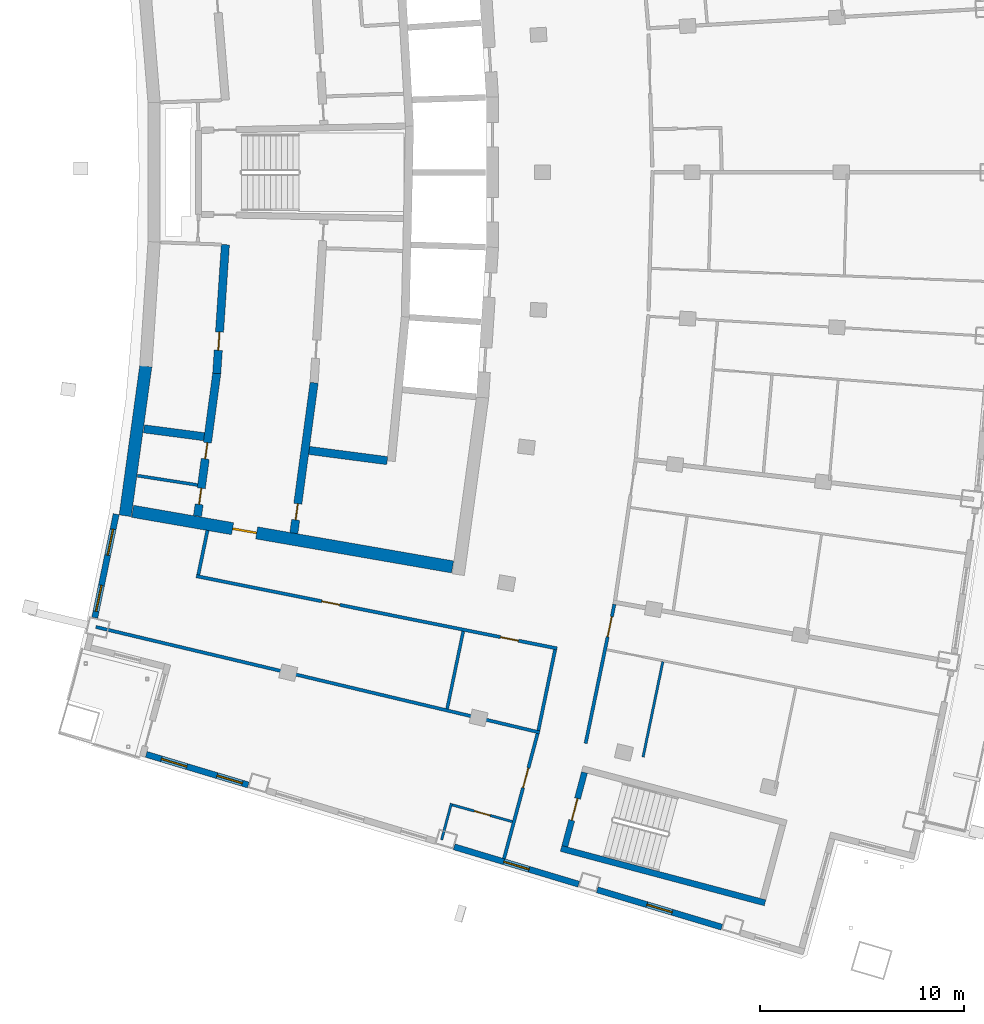
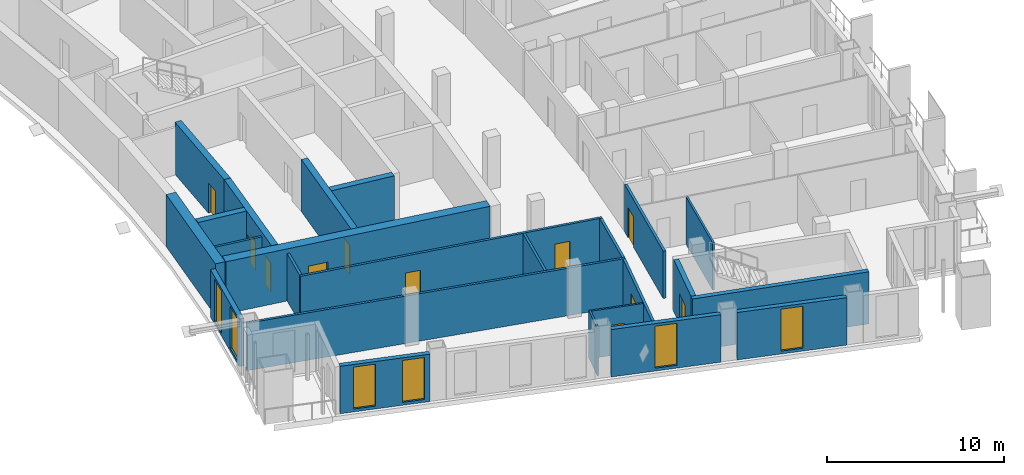
# One storey, part 9 of 17: 24 walls, 11 doors, 6 windows, 17 openings.
"""IFC4 building model written with IfcOpenShell, lengths in metres."""

from ifc_helpers import new_model, si_unit, direction, frame, frame_2d, origin, place, context, subcontext, project, spatial, rectangle, extrude, material, layer, layer_set, type_object, element, fill, save


model = new_model("IFC4")

# Units and contexts
model_context = context("Model", 3, precision=1e-05, world=origin(), true_north=direction((0.0, 1.0)))
body_context = subcontext(model_context, "Body", "Model", "MODEL_VIEW")
ifc_project = project(units=[si_unit("LENGTHUNIT", "METRE"), si_unit("AREAUNIT", "SQUARE_METRE"), si_unit("VOLUMEUNIT", "CUBIC_METRE"), si_unit("PLANEANGLEUNIT", "RADIAN"), si_unit("MASSUNIT", "GRAM", prefix="KILO")], contexts=[model_context])

# Site, building, storey
site_placement = place(None, origin())
site = spatial("IfcSite", under=ifc_project, at=site_placement, CompositionType="ELEMENT")
building_placement = place(site_placement, origin())
building = spatial("IfcBuilding", under=site, at=building_placement, Name="Alderwake Tower", CompositionType="ELEMENT")
storey_placement = place(building_placement, frame((0.0, 0.0, 218.0)))
storey = spatial("IfcBuildingStorey", under=building, at=storey_placement, Name="L54", CompositionType="ELEMENT", Elevation=218.0)

# Walls
ifc_material_1 = material(Name="Gypsum shaft wall system, rated")
ifc_layer_1 = layer(ifc_material_1, 0.14990234375)
ifc_layer_set_1 = layer_set([ifc_layer_1], Name="Core room partition 150")
wall_type_1 = type_object("IfcWallType", Name="Core room partition 150", PredefinedType="PARTITIONING", material=ifc_layer_set_1)
wall_1_placement = place(storey_placement, frame((15.92529296875, 46.11328125, 0.0), z_axis=(0.0, 0.0, 1.0), x_axis=(0.988179886452, -0.153298767153, 0.0)))
element("IfcWall", 1, at=wall_1_placement, inside=storey, type_object=wall_type_1, Name="CW/L54/PR-161_+0", PredefinedType="PARTITIONING", context=body_context, shape_type="SweptSolid", body=[
    extrude(rectangle(XDim=2.984375, YDim=0.14990234375, at=frame_2d((1.4921875, 0.0))), origin(), (0.0, 0.0, 1.0), 3.280029296875),
])
ifc_material_2 = material(Name="Concrete C70/85", Category="concrete")
ifc_layer_2 = layer(ifc_material_2, 0.60009765625)
ifc_layer_set_2 = layer_set([ifc_layer_2], Name="Core wall outer 600 C70-85")
wall_type_2 = type_object("IfcWallType", Name="Core wall outer 600 C70-85", PredefinedType="SHEAR", material=ifc_layer_set_2)
wall_2_placement = place(storey_placement, frame((15.321533203125, 44.146240234375, 0.0), z_axis=(0.0, 0.0, 1.0), x_axis=(0.136316498814, 0.990665338119, 0.0)))
element("IfcWall", 2, at=wall_2_placement, inside=storey, type_object=wall_type_2, Name="Core wall CW.037", PredefinedType="SHEAR", context=body_context, shape_type="SweptSolid", body=[
    extrude(rectangle(XDim=7.41455078125, YDim=0.60009765625, at=frame_2d((3.707275390625, 0.0))), origin(), (0.0, 0.0, 1.0), 3.60009765625),
])

# Wall, opening, door
wall_3_placement = place(storey_placement, frame((31.386962890625, 41.63525390625, 0.0), z_axis=(0.0, 0.0, 1.0), x_axis=(-0.985223108003, 0.171275881127, 0.0)))
wall_3 = element("IfcWall", 3, at=wall_3_placement, inside=storey, type_object=wall_type_2, Name="Core wall CW.072", PredefinedType="SHEAR", context=body_context, shape_type="SweptSolid", body=[
    extrude(rectangle(XDim=15.937744140625, YDim=0.60009765625, at=frame_2d((7.96875, 0.0))), origin(), (0.0, 0.0, 1.0), 3.60009765625),
])
opening_1_placement = place(wall_3_placement, frame((9.757568359375, 0.0, 0.0)))
opening_1 = element("IfcOpeningElement", 4, at=opening_1_placement, cuts=wall_3, Name="Opening C003", PredefinedType="OPENING", context=body_context, shape_type="SweptSolid", body=[
    extrude(rectangle(XDim=1.199951171875, YDim=2.10009765625, at=frame_2d((0.60009765625, 1.050048828125))), frame((0.0, 0.31005859375, 0.0), z_axis=(0.0, -1.0, 0.0), x_axis=(1.0, 0.0, 0.0)), (0.0, 0.0, 1.0), 0.6201171875),
])
ifc_material_3 = material(Name="Steel-framed fire door leaf", Category="steel")
door_type_1 = type_object("IfcDoorType", Name="Core lobby exit door 1200 fire-rated", OperationType="SINGLE_SWING_LEFT", PredefinedType="DOOR", material=ifc_material_3)
door_1_placement = place(opening_1_placement, origin())
door_1 = element("IfcDoor", 5, at=door_1_placement, inside=storey, type_object=door_type_1, Name="Lobby door", OperationType="SINGLE_SWING_LEFT", OverallHeight=2.10009765625, OverallWidth=1.199951171875, PredefinedType="DOOR", context=body_context, shape_type="SweptSolid", body=[
    extrude(rectangle(XDim=1.199951171875, YDim=2.10009765625, at=frame_2d((0.60009765625, 1.050048828125))), frame((0.0, 0.050048828125, 0.0), z_axis=(0.0, -1.0, 0.0), x_axis=(1.0, 0.0, 0.0)), (0.0, 0.0, 1.0), 0.10009765625),
])
fill(opening_1, door_1)

# Wall, openings, doors
ifc_material_4 = material(Name="Concrete C70/85", Category="concrete")
ifc_layer_3 = layer(ifc_material_4, 0.39990234375)
ifc_layer_set_3 = layer_set([ifc_layer_3], Name="Core wall spine 400 C70-85")
wall_type_3 = type_object("IfcWallType", Name="Core wall spine 400 C70-85", PredefinedType="SHEAR", material=ifc_layer_set_3)
wall_4_placement = place(storey_placement, frame((19.814697265625, 51.143798828125, 0.0), z_axis=(0.0, 0.0, 1.0), x_axis=(-0.133333838703, -0.991071181831, 0.0)))
wall_4 = element("IfcWall", 6, at=wall_4_placement, inside=storey, type_object=wall_type_3, Name="Core wall CW.033", PredefinedType="SHEAR", context=body_context, shape_type="SweptSolid", body=[
    extrude(rectangle(XDim=7.078857421875, YDim=0.39990234375, at=frame_2d((3.53955078125, 0.0))), origin(), (0.0, 0.0, 1.0), 3.60009765625),
])
opening_2_placement = place(wall_4_placement, frame((5.69677734375, 0.0, 0.0)))
opening_2 = element("IfcOpeningElement", 7, at=opening_2_placement, cuts=wall_4, Name="Opening C009", PredefinedType="OPENING", context=body_context, shape_type="SweptSolid", body=[
    extrude(rectangle(XDim=0.800048828125, YDim=2.0, at=frame_2d((0.39990234375, 1.0))), frame((0.0, 0.2099609375, 0.0), z_axis=(0.0, -1.0, 0.0), x_axis=(1.0, 0.0, 0.0)), (0.0, 0.0, 1.0), 0.419921875),
])
opening_3_placement = place(wall_4_placement, frame((3.443115234375, 0.0, 0.0)))
opening_3 = element("IfcOpeningElement", 8, at=opening_3_placement, cuts=wall_4, Name="Opening C010", PredefinedType="OPENING", context=body_context, shape_type="SweptSolid", body=[
    extrude(rectangle(XDim=0.800048828125, YDim=2.0, at=frame_2d((0.39990234375, 1.0))), frame((0.0, 0.2099609375, 0.0), z_axis=(0.0, -1.0, 0.0), x_axis=(1.0, 0.0, 0.0)), (0.0, 0.0, 1.0), 0.419921875),
])
ifc_material_5 = material(Name="Painted steel leaf, rated", Category="steel")
door_type_2 = type_object("IfcDoorType", Name="Riser access door 800", OperationType="SINGLE_SWING_LEFT", PredefinedType="DOOR", material=ifc_material_5)
door_2_placement = place(opening_2_placement, origin())
door_2 = element("IfcDoor", 9, at=door_2_placement, inside=storey, type_object=door_type_2, Name="Riser access door", OperationType="SINGLE_SWING_LEFT", OverallHeight=2.0, OverallWidth=0.800048828125, PredefinedType="DOOR", context=body_context, shape_type="SweptSolid", body=[
    extrude(rectangle(XDim=0.800048828125, YDim=2.0, at=frame_2d((0.39990234375, 1.0))), frame((0.0, 0.02490234375, 0.0), z_axis=(0.0, -1.0, 0.0), x_axis=(1.0, 0.0, 0.0)), (0.0, 0.0, 1.0), 0.050048828125),
])
fill(opening_2, door_2)
door_3_placement = place(opening_3_placement, origin())
door_3 = element("IfcDoor", 10, at=door_3_placement, inside=storey, type_object=door_type_2, Name="Riser access door", OperationType="SINGLE_SWING_RIGHT", OverallHeight=2.0, OverallWidth=0.800048828125, PredefinedType="DOOR", context=body_context, shape_type="SweptSolid", body=[
    extrude(rectangle(XDim=0.800048828125, YDim=2.0, at=frame_2d((0.39990234375, 1.0))), frame((0.0, 0.02490234375, 0.0), z_axis=(0.0, -1.0, 0.0), x_axis=(1.0, 0.0, 0.0)), (0.0, 0.0, 1.0), 0.050048828125),
])
fill(opening_3, door_3)

# Wall, opening, door
wall_5_placement = place(storey_placement, frame((20.2373046875, 57.451904296875, 0.0), z_axis=(0.0, 0.0, 1.0), x_axis=(-0.066884681503, -0.997760712486, 0.0)))
wall_5 = element("IfcWall", 11, at=wall_5_placement, inside=storey, type_object=wall_type_3, Name="Core wall CW.032", PredefinedType="SHEAR", context=body_context, shape_type="SweptSolid", body=[
    extrude(rectangle(XDim=6.336669921875, YDim=0.39990234375, at=frame_2d((3.16845703125, 0.0))), origin(), (0.0, 0.0, 1.0), 3.60009765625),
])
opening_4_placement = place(wall_5_placement, frame((4.297119140625, 0.0, 0.0)))
opening_4 = element("IfcOpeningElement", 12, at=opening_4_placement, cuts=wall_5, Name="Opening C037", PredefinedType="OPENING", context=body_context, shape_type="SweptSolid", body=[
    extrude(rectangle(XDim=0.89990234375, YDim=2.10009765625, at=frame_2d((0.449951171875, 1.050048828125))), frame((0.0, 0.2099609375, 0.0), z_axis=(0.0, -1.0, 0.0), x_axis=(1.0, 0.0, 0.0)), (0.0, 0.0, 1.0), 0.419921875),
])
ifc_material_6 = material(Name="Painted steel leaf", Category="steel")
door_type_3 = type_object("IfcDoorType", Name="Core room door 900", OperationType="SINGLE_SWING_LEFT", PredefinedType="DOOR", material=ifc_material_6)
door_4_placement = place(opening_4_placement, origin())
door_4 = element("IfcDoor", 13, at=door_4_placement, inside=storey, type_object=door_type_3, Name="Room door", OperationType="SINGLE_SWING_RIGHT", OverallHeight=2.10009765625, OverallWidth=0.89990234375, PredefinedType="DOOR", context=body_context, shape_type="SweptSolid", body=[
    extrude(rectangle(XDim=0.89990234375, YDim=2.10009765625, at=frame_2d((0.449951171875, 1.050048828125))), frame((0.0, 0.02490234375, 0.0), z_axis=(0.0, -1.0, 0.0), x_axis=(1.0, 0.0, 0.0)), (0.0, 0.0, 1.0), 0.050048828125),
])
fill(opening_4, door_4)

wall_6_placement = place(storey_placement, frame((23.597412109375, 43.29248046875, 0.0), z_axis=(0.0, 0.0, 1.0), x_axis=(0.133499326361, 0.99104890387, 0.0)))
wall_6 = element("IfcWall", 14, at=wall_6_placement, inside=storey, type_object=wall_type_3, Name="Core wall CW.047", PredefinedType="SHEAR", context=body_context, shape_type="SweptSolid", body=[
    extrude(rectangle(XDim=7.44677734375, YDim=0.39990234375, at=frame_2d((3.723388671875, 0.0))), origin(), (0.0, 0.0, 1.0), 3.60009765625),
])
opening_5_placement = place(wall_6_placement, frame((0.65771484375, 0.0, 0.0)))
opening_5 = element("IfcOpeningElement", 15, at=opening_5_placement, cuts=wall_6, Name="Opening C013", PredefinedType="OPENING", context=body_context, shape_type="SweptSolid", body=[
    extrude(rectangle(XDim=0.800048828125, YDim=2.0, at=frame_2d((0.39990234375, 1.0))), frame((0.0, 0.2099609375, 0.0), z_axis=(0.0, -1.0, 0.0), x_axis=(1.0, 0.0, 0.0)), (0.0, 0.0, 1.0), 0.419921875),
])
door_5_placement = place(opening_5_placement, origin())
door_5 = element("IfcDoor", 16, at=door_5_placement, inside=storey, type_object=door_type_2, Name="Riser access door", OperationType="SINGLE_SWING_LEFT", OverallHeight=2.0, OverallWidth=0.800048828125, PredefinedType="DOOR", context=body_context, shape_type="SweptSolid", body=[
    extrude(rectangle(XDim=0.800048828125, YDim=2.0, at=frame_2d((0.39990234375, 1.0))), frame((0.0, 0.02490234375, 0.0), z_axis=(0.0, -1.0, 0.0), x_axis=(1.0, 0.0, 0.0)), (0.0, 0.0, 1.0), 0.050048828125),
])
fill(opening_5, door_5)

# Walls
wall_7_placement = place(storey_placement, frame((16.24169921875, 48.412353515625, 0.0), z_axis=(0.0, 0.0, 1.0), x_axis=(0.991548658387, -0.129735338481, 0.0)))
element("IfcWall", 17, at=wall_7_placement, inside=storey, type_object=wall_type_3, Name="Core wall CW.067", PredefinedType="SHEAR", context=body_context, shape_type="SweptSolid", body=[
    extrude(rectangle(XDim=2.97705078125, YDim=0.39990234375, at=frame_2d((1.488525390625, 0.0))), origin(), (0.0, 0.0, 1.0), 3.60009765625),
])
wall_8_placement = place(storey_placement, frame((24.34619140625, 47.352294921875, 0.0), z_axis=(0.0, 0.0, 1.0), x_axis=(0.991555264158, -0.129684841519, 0.0)))
element("IfcWall", 18, at=wall_8_placement, inside=storey, type_object=wall_type_3, Name="Core wall CW.069", PredefinedType="SHEAR", context=body_context, shape_type="SweptSolid", body=[
    extrude(rectangle(XDim=3.864990234375, YDim=0.39990234375, at=frame_2d((1.9326171875, 0.0))), origin(), (0.0, 0.0, 1.0), 3.60009765625),
])
ifc_material_7 = material(Name="Concrete C70/85", Category="concrete")
ifc_layer_4 = layer(ifc_material_7, 0.300048828125)
ifc_layer_set_4 = layer_set([ifc_layer_4], Name="Core wall stair enclosure 300 C70-85")
wall_type_4 = type_object("IfcWallType", Name="Core wall stair enclosure 300 C70-85", PredefinedType="SHEAR", material=ifc_layer_set_4)
wall_9_placement = place(storey_placement, frame((36.71142578125, 27.817626953125, 0.0), z_axis=(0.0, 0.0, 1.0), x_axis=(0.966309214305, -0.257383958996, 0.0)))
element("IfcWall", 19, at=wall_9_placement, inside=storey, type_object=wall_type_4, Name="Core wall CW.088", PredefinedType="SHEAR", context=body_context, shape_type="SweptSolid", body=[
    extrude(rectangle(XDim=10.360107421875, YDim=0.300048828125, at=frame_2d((5.18017578125, 0.0))), origin(), (0.0, 0.0, 1.0), 3.60009765625),
])

# Wall, opening, door
wall_10_placement = place(storey_placement, frame((36.89501953125, 27.923828125, 0.0), z_axis=(0.0, 0.0, 1.0), x_axis=(0.257350630826, 0.966318090907, 0.0)))
wall_10 = element("IfcWall", 20, at=wall_10_placement, inside=storey, type_object=wall_type_4, Name="Core wall CW.087", PredefinedType="SHEAR", context=body_context, shape_type="SweptSolid", body=[
    extrude(rectangle(XDim=3.75, YDim=0.300048828125, at=frame_2d((1.875, 0.0))), origin(), (0.0, 0.0, 1.0), 3.60009765625),
])
opening_6_placement = place(wall_10_placement, frame((1.324951171875, 0.0, 0.0)))
opening_6 = element("IfcOpeningElement", 21, at=opening_6_placement, cuts=wall_10, Name="Opening C065", PredefinedType="OPENING", context=body_context, shape_type="SweptSolid", body=[
    extrude(rectangle(XDim=1.10009765625, YDim=2.10009765625, at=frame_2d((0.550048828125, 1.050048828125))), frame((0.0, 0.159912109375, 0.0), z_axis=(0.0, -1.0, 0.0), x_axis=(1.0, 0.0, 0.0)), (0.0, 0.0, 1.0), 0.320068359375),
])
ifc_material_8 = material(Name="Steel-framed fire door leaf", Category="steel")
door_type_4 = type_object("IfcDoorType", Name="Core stair door 1100 fire-rated", OperationType="SINGLE_SWING_LEFT", PredefinedType="DOOR", material=ifc_material_8)
door_6_placement = place(opening_6_placement, origin())
door_6 = element("IfcDoor", 22, at=door_6_placement, inside=storey, type_object=door_type_4, Name="Stair door", OperationType="SINGLE_SWING_LEFT", OverallHeight=2.10009765625, OverallWidth=1.10009765625, PredefinedType="DOOR", context=body_context, shape_type="SweptSolid", body=[
    extrude(rectangle(XDim=1.10009765625, YDim=2.10009765625, at=frame_2d((0.550048828125, 1.050048828125))), frame((0.0, 0.02490234375, 0.0), z_axis=(0.0, -1.0, 0.0), x_axis=(1.0, 0.0, 0.0)), (0.0, 0.0, 1.0), 0.050048828125),
])
fill(opening_6, door_6)

# Wall
ifc_material_9 = material(Name="Gypsum board on metal studs, rated")
ifc_layer_5 = layer(ifc_material_9, 0.159912109375)
ifc_layer_set_5 = layer_set([ifc_layer_5], Name="Corridor wall 160")
wall_type_5 = type_object("IfcWallType", Name="Corridor wall 160", PredefinedType="PARTITIONING", material=ifc_layer_set_5)
wall_11_placement = place(storey_placement, frame((13.884033203125, 38.68798828125, 0.0), z_axis=(0.0, 0.0, 1.0), x_axis=(0.972893462073, -0.231253781493, 0.0)))
element("IfcWall", 23, at=wall_11_placement, inside=storey, type_object=wall_type_5, Name="WL/L54/W08", PredefinedType="PARTITIONING", context=body_context, shape_type="SweptSolid", body=[
    extrude(rectangle(XDim=22.38037109375, YDim=0.159912109375, at=frame_2d((11.190185546875, 0.0))), origin(), (0.0, 0.0, 1.0), 3.280029296875),
])

# Wall, openings, doors
wall_12_placement = place(storey_placement, frame((36.513427734375, 37.63427734375, 0.0), z_axis=(0.0, 0.0, 1.0), x_axis=(-0.980470254867, 0.1966674333, 0.0)))
wall_12 = element("IfcWall", 24, at=wall_12_placement, inside=storey, type_object=wall_type_5, Name="WL/L54/W10", PredefinedType="PARTITIONING", context=body_context, shape_type="SweptSolid", body=[
    extrude(rectangle(XDim=18.053466796875, YDim=0.159912109375, at=frame_2d((9.02685546875, 0.0))), origin(), (0.0, 0.0, 1.0), 3.280029296875),
])
opening_7_placement = place(wall_12_placement, frame((10.876708984375, 0.0, 0.0)))
opening_7 = element("IfcOpeningElement", 25, at=opening_7_placement, cuts=wall_12, Name="Opening R15-SBS1", PredefinedType="OPENING", context=body_context, shape_type="SweptSolid", body=[
    extrude(rectangle(XDim=0.89990234375, YDim=2.10009765625, at=frame_2d((0.449951171875, 1.050048828125))), frame((0.0, 0.08984375, 0.0), z_axis=(0.0, -1.0, 0.0), x_axis=(1.0, 0.0, 0.0)), (0.0, 0.0, 1.0), 0.179931640625),
])
opening_8_placement = place(wall_12_placement, frame((1.9306640625, 0.0, 0.0)))
opening_8 = element("IfcOpeningElement", 26, at=opening_8_placement, cuts=wall_12, Name="Opening R15-SBS2", PredefinedType="OPENING", context=body_context, shape_type="SweptSolid", body=[
    extrude(rectangle(XDim=0.89990234375, YDim=2.10009765625, at=frame_2d((0.449951171875, 1.050048828125))), frame((0.0, 0.08984375, 0.0), z_axis=(0.0, -1.0, 0.0), x_axis=(1.0, 0.0, 0.0)), (0.0, 0.0, 1.0), 0.179931640625),
])
ifc_material_10 = material(Name="Painted timber leaf", Category="wood")
door_type_5 = type_object("IfcDoorType", Name="Room door 900", OperationType="SINGLE_SWING_LEFT", PredefinedType="DOOR", material=ifc_material_10)
door_7_placement = place(opening_7_placement, origin())
door_7 = element("IfcDoor", 27, at=door_7_placement, inside=storey, type_object=door_type_5, Name="DR/L54/SBS1", OperationType="SINGLE_SWING_LEFT", OverallHeight=2.10009765625, OverallWidth=0.89990234375, PredefinedType="DOOR", context=body_context, shape_type="SweptSolid", body=[
    extrude(rectangle(XDim=0.89990234375, YDim=2.10009765625, at=frame_2d((0.449951171875, 1.050048828125))), frame((0.0, 0.02490234375, 0.0), z_axis=(0.0, -1.0, 0.0), x_axis=(1.0, 0.0, 0.0)), (0.0, 0.0, 1.0), 0.050048828125),
])
fill(opening_7, door_7)
door_8_placement = place(opening_8_placement, origin())
door_8 = element("IfcDoor", 28, at=door_8_placement, inside=storey, type_object=door_type_5, Name="DR/L54/SBS2", OperationType="SINGLE_SWING_LEFT", OverallHeight=2.10009765625, OverallWidth=0.89990234375, PredefinedType="DOOR", context=body_context, shape_type="SweptSolid", body=[
    extrude(rectangle(XDim=0.89990234375, YDim=2.10009765625, at=frame_2d((0.449951171875, 1.050048828125))), frame((0.0, 0.02490234375, 0.0), z_axis=(0.0, -1.0, 0.0), x_axis=(1.0, 0.0, 0.0)), (0.0, 0.0, 1.0), 0.050048828125),
])
fill(opening_8, door_8)

# Wall
wall_13_placement = place(storey_placement, frame((19.35888671875, 43.430908203125, 0.0), z_axis=(0.0, 0.0, 1.0), x_axis=(-0.202554916658, -0.979270905183, 0.0)))
element("IfcWall", 29, at=wall_13_placement, inside=storey, type_object=wall_type_5, Name="WL/L54/W11", PredefinedType="PARTITIONING", context=body_context, shape_type="SweptSolid", body=[
    extrude(rectangle(XDim=2.229736328125, YDim=0.159912109375, at=frame_2d((1.11474609375, 0.0))), origin(), (0.0, 0.0, 1.0), 3.280029296875),
])

# Wall, opening, door
wall_14_placement = place(storey_placement, frame((33.912109375, 27.321044921875, 0.0), z_axis=(0.0, 0.0, 1.0), x_axis=(0.259370874835, 0.965777794986, 0.0)))
wall_14 = element("IfcWall", 30, at=wall_14_placement, inside=storey, type_object=wall_type_5, Name="WL/L54/W14", PredefinedType="PARTITIONING", context=body_context, shape_type="SweptSolid", body=[
    extrude(rectangle(XDim=6.349853515625, YDim=0.159912109375, at=frame_2d((3.1748046875, 0.0))), origin(), (0.0, 0.0, 1.0), 3.280029296875),
])
opening_9_placement = place(wall_14_placement, frame((3.603515625, 0.0, 0.0)))
opening_9 = element("IfcOpeningElement", 31, at=opening_9_placement, cuts=wall_14, Name="Opening R15-U08.1", PredefinedType="OPENING", context=body_context, shape_type="SweptSolid", body=[
    extrude(rectangle(XDim=1.0, YDim=2.10009765625, at=frame_2d((0.5, 1.050048828125))), frame((0.0, 0.08984375, 0.0), z_axis=(0.0, -1.0, 0.0), x_axis=(1.0, 0.0, 0.0)), (0.0, 0.0, 1.0), 0.179931640625),
])
ifc_material_11 = material(Name="Solid timber leaf in steel frame", Category="steel")
door_type_6 = type_object("IfcDoorType", Name="Flat entrance door 1000 fire-rated", OperationType="SINGLE_SWING_LEFT", PredefinedType="DOOR", material=ifc_material_11)
door_9_placement = place(opening_9_placement, origin())
door_9 = element("IfcDoor", 32, at=door_9_placement, inside=storey, type_object=door_type_6, Name="DR/L54/U08.1", OperationType="SINGLE_SWING_LEFT", OverallHeight=2.10009765625, OverallWidth=1.0, PredefinedType="DOOR", context=body_context, shape_type="SweptSolid", body=[
    extrude(rectangle(XDim=1.0, YDim=2.10009765625, at=frame_2d((0.5, 1.050048828125))), frame((0.0, 0.02490234375, 0.0), z_axis=(0.0, -1.0, 0.0), x_axis=(1.0, 0.0, 0.0)), (0.0, 0.0, 1.0), 0.050048828125),
])
fill(opening_9, door_9)

# Wall
wall_15_placement = place(storey_placement, frame((36.418701171875, 37.57177734375, 0.0), z_axis=(0.0, 0.0, 1.0), x_axis=(-0.203245920818, -0.979127721838, 0.0)))
element("IfcWall", 33, at=wall_15_placement, inside=storey, type_object=wall_type_5, Name="WL/L54/W16", PredefinedType="PARTITIONING", context=body_context, shape_type="SweptSolid", body=[
    extrude(rectangle(XDim=4.046875, YDim=0.159912109375, at=frame_2d((2.0234375, 0.0))), origin(), (0.0, 0.0, 1.0), 3.280029296875),
])

# Wall, opening, door
wall_16_placement = place(storey_placement, frame((39.32763671875, 39.799072265625, 0.0), z_axis=(0.0, 0.0, 1.0), x_axis=(-0.202466556983, -0.979289177569, 0.0)))
wall_16 = element("IfcWall", 34, at=wall_16_placement, inside=storey, type_object=wall_type_5, Name="WL/L54/W18", PredefinedType="PARTITIONING", context=body_context, shape_type="SweptSolid", body=[
    extrude(rectangle(XDim=6.96728515625, YDim=0.159912109375, at=frame_2d((3.483642578125, 0.0))), origin(), (0.0, 0.0, 1.0), 3.280029296875),
])
opening_10_placement = place(wall_16_placement, frame((0.62744140625, 0.0, 0.0)))
opening_10 = element("IfcOpeningElement", 35, at=opening_10_placement, cuts=wall_16, Name="Opening R15-U03.2", PredefinedType="OPENING", context=body_context, shape_type="SweptSolid", body=[
    extrude(rectangle(XDim=1.0, YDim=2.10009765625, at=frame_2d((0.5, 1.050048828125))), frame((0.0, 0.08984375, 0.0), z_axis=(0.0, -1.0, 0.0), x_axis=(1.0, 0.0, 0.0)), (0.0, 0.0, 1.0), 0.179931640625),
])
door_10_placement = place(opening_10_placement, origin())
door_10 = element("IfcDoor", 36, at=door_10_placement, inside=storey, type_object=door_type_6, Name="DR/L54/U03.2", OperationType="SINGLE_SWING_LEFT", OverallHeight=2.10009765625, OverallWidth=1.0, PredefinedType="DOOR", context=body_context, shape_type="SweptSolid", body=[
    extrude(rectangle(XDim=1.0, YDim=2.10009765625, at=frame_2d((0.5, 1.050048828125))), frame((0.0, 0.02490234375, 0.0), z_axis=(0.0, -1.0, 0.0), x_axis=(1.0, 0.0, 0.0)), (0.0, 0.0, 1.0), 0.050048828125),
])
fill(opening_10, door_10)

# Wall, openings, windows
ifc_material_12 = material(Name="Precast concrete C50/60 spandrel panel", Category="concrete")
ifc_layer_6 = layer(ifc_material_12, 0.300048828125)
ifc_layer_set_6 = layer_set([ifc_layer_6], Name="External wall EW1 Precast concrete C50/60 spandrel")
wall_type_6 = type_object("IfcWallType", Name="External wall EW1 Precast concrete C50/60 spandrel", PredefinedType="SOLIDWALL", material=ifc_layer_set_6)
wall_17_placement = place(storey_placement, frame((14.878173828125, 44.223388671875, 0.0), z_axis=(0.0, 0.0, 1.0), x_axis=(-0.202730149235, -0.979234643276, 0.0)))
wall_17 = element("IfcWall", 37, at=wall_17_placement, inside=storey, type_object=wall_type_6, Name="External wall 32", PredefinedType="SOLIDWALL", context=body_context, shape_type="SweptSolid", body=[
    extrude(rectangle(XDim=5.185546875, YDim=0.300048828125, at=frame_2d((2.5927734375, 0.0))), origin(), (0.0, 0.0, 1.0), 3.280029296875),
])
opening_11_placement = place(wall_17_placement, frame((0.75634765625, 0.0, 0.199951171875)))
opening_11 = element("IfcOpeningElement", 38, at=opening_11_placement, cuts=wall_17, Name="Opening W1", PredefinedType="OPENING", context=body_context, shape_type="SweptSolid", body=[
    extrude(rectangle(XDim=1.300048828125, YDim=2.89990234375, at=frame_2d((0.64990234375, 1.449951171875))), frame((0.0, 0.159912109375, 0.0), z_axis=(0.0, -1.0, 0.0), x_axis=(1.0, 0.0, 0.0)), (0.0, 0.0, 1.0), 0.320068359375),
])
opening_12_placement = place(wall_17_placement, frame((3.569091796875, 0.0, 0.199951171875)))
opening_12 = element("IfcOpeningElement", 39, at=opening_12_placement, cuts=wall_17, Name="Opening W1", PredefinedType="OPENING", context=body_context, shape_type="SweptSolid", body=[
    extrude(rectangle(XDim=1.300048828125, YDim=2.89990234375, at=frame_2d((0.64990234375, 1.449951171875))), frame((0.0, 0.159912109375, 0.0), z_axis=(0.0, -1.0, 0.0), x_axis=(1.0, 0.0, 0.0)), (0.0, 0.0, 1.0), 0.320068359375),
])
ifc_material_13 = material(Name="Bronze tinted glass in aluminium frame", Category="aluminium")
window_type = type_object("IfcWindowType", Name="Window W1 tall fixed and vent", PartitioningType="DOUBLE_PANEL_VERTICAL", PredefinedType="WINDOW", material=ifc_material_13)
window_1_placement = place(opening_11_placement, origin())
window_1 = element("IfcWindow", 40, at=window_1_placement, inside=storey, type_object=window_type, Name="Window W1 tall fixed and vent", OverallHeight=2.89990234375, OverallWidth=1.300048828125, PartitioningType="DOUBLE_PANEL_VERTICAL", PredefinedType="WINDOW", context=body_context, shape_type="SweptSolid", body=[
    extrude(rectangle(XDim=1.300048828125, YDim=2.89990234375, at=frame_2d((0.64990234375, 1.449951171875))), frame((0.0, 0.030029296875, 0.0), z_axis=(0.0, -1.0, 0.0), x_axis=(1.0, 0.0, 0.0)), (0.0, 0.0, 1.0), 0.06005859375),
])
fill(opening_11, window_1)
window_2_placement = place(opening_12_placement, origin())
window_2 = element("IfcWindow", 41, at=window_2_placement, inside=storey, type_object=window_type, Name="Window W1 tall fixed and vent", OverallHeight=2.89990234375, OverallWidth=1.300048828125, PartitioningType="DOUBLE_PANEL_VERTICAL", PredefinedType="WINDOW", context=body_context, shape_type="SweptSolid", body=[
    extrude(rectangle(XDim=1.300048828125, YDim=2.89990234375, at=frame_2d((0.64990234375, 1.449951171875))), frame((0.0, 0.030029296875, 0.0), z_axis=(0.0, -1.0, 0.0), x_axis=(1.0, 0.0, 0.0)), (0.0, 0.0, 1.0), 0.06005859375),
])
fill(opening_12, window_2)

ifc_material_14 = material(Name="Bronze metal cladding on lightweight framing")
ifc_layer_7 = layer(ifc_material_14, 0.300048828125)
ifc_layer_set_7 = layer_set([ifc_layer_7], Name="External wall EW2 bronze metal cladding")
wall_type_7 = type_object("IfcWallType", Name="External wall EW2 bronze metal cladding", PredefinedType="SOLIDWALL", material=ifc_layer_set_7)
wall_18_placement = place(storey_placement, frame((16.352783203125, 32.4375, 0.0), z_axis=(0.0, 0.0, 1.0), x_axis=(0.95777225046, -0.287527939944, 0.0)))
wall_18 = element("IfcWall", 42, at=wall_18_placement, inside=storey, type_object=wall_type_7, Name="External wall 4", PredefinedType="SOLIDWALL", context=body_context, shape_type="SweptSolid", body=[
    extrude(rectangle(XDim=5.224609375, YDim=0.300048828125, at=frame_2d((2.6123046875, 0.0))), origin(), (0.0, 0.0, 1.0), 3.280029296875),
])
opening_13_placement = place(wall_18_placement, frame((0.775390625, 0.0, 0.199951171875)))
opening_13 = element("IfcOpeningElement", 43, at=opening_13_placement, cuts=wall_18, Name="Opening W1", PredefinedType="OPENING", context=body_context, shape_type="SweptSolid", body=[
    extrude(rectangle(XDim=1.300048828125, YDim=2.89990234375, at=frame_2d((0.64990234375, 1.449951171875))), frame((0.0, 0.159912109375, 0.0), z_axis=(0.0, -1.0, 0.0), x_axis=(1.0, 0.0, 0.0)), (0.0, 0.0, 1.0), 0.320068359375),
])
opening_14_placement = place(wall_18_placement, frame((3.626220703125, 0.0, 0.199951171875)))
opening_14 = element("IfcOpeningElement", 44, at=opening_14_placement, cuts=wall_18, Name="Opening W1", PredefinedType="OPENING", context=body_context, shape_type="SweptSolid", body=[
    extrude(rectangle(XDim=1.300048828125, YDim=2.89990234375, at=frame_2d((0.64990234375, 1.449951171875))), frame((0.0, 0.159912109375, 0.0), z_axis=(0.0, -1.0, 0.0), x_axis=(1.0, 0.0, 0.0)), (0.0, 0.0, 1.0), 0.320068359375),
])
window_3_placement = place(opening_13_placement, origin())
window_3 = element("IfcWindow", 45, at=window_3_placement, inside=storey, type_object=window_type, Name="Window W1 tall fixed and vent", OverallHeight=2.89990234375, OverallWidth=1.300048828125, PartitioningType="DOUBLE_PANEL_VERTICAL", PredefinedType="WINDOW", context=body_context, shape_type="SweptSolid", body=[
    extrude(rectangle(XDim=1.300048828125, YDim=2.89990234375, at=frame_2d((0.64990234375, 1.449951171875))), frame((0.0, 0.030029296875, 0.0), z_axis=(0.0, -1.0, 0.0), x_axis=(1.0, 0.0, 0.0)), (0.0, 0.0, 1.0), 0.06005859375),
])
fill(opening_13, window_3)
window_4_placement = place(opening_14_placement, origin())
window_4 = element("IfcWindow", 46, at=window_4_placement, inside=storey, type_object=window_type, Name="Window W1 tall fixed and vent", OverallHeight=2.89990234375, OverallWidth=1.300048828125, PartitioningType="DOUBLE_PANEL_VERTICAL", PredefinedType="WINDOW", context=body_context, shape_type="SweptSolid", body=[
    extrude(rectangle(XDim=1.300048828125, YDim=2.89990234375, at=frame_2d((0.64990234375, 1.449951171875))), frame((0.0, 0.030029296875, 0.0), z_axis=(0.0, -1.0, 0.0), x_axis=(1.0, 0.0, 0.0)), (0.0, 0.0, 1.0), 0.06005859375),
])
fill(opening_14, window_4)

# Wall, opening, window
wall_19_placement = place(storey_placement, frame((31.465087890625, 27.900390625, 0.0), z_axis=(0.0, 0.0, 1.0), x_axis=(0.957767283432, -0.287544484885, 0.0)))
wall_19 = element("IfcWall", 47, at=wall_19_placement, inside=storey, type_object=wall_type_7, Name="External wall 6", PredefinedType="SOLIDWALL", context=body_context, shape_type="SweptSolid", body=[
    extrude(rectangle(XDim=6.3798828125, YDim=0.300048828125, at=frame_2d((3.18994140625, 0.0))), origin(), (0.0, 0.0, 1.0), 3.280029296875),
])
opening_15_placement = place(wall_19_placement, frame((2.539794921875, 0.0, 0.199951171875)))
opening_15 = element("IfcOpeningElement", 48, at=opening_15_placement, cuts=wall_19, Name="Opening W1", PredefinedType="OPENING", context=body_context, shape_type="SweptSolid", body=[
    extrude(rectangle(XDim=1.300048828125, YDim=2.89990234375, at=frame_2d((0.64990234375, 1.449951171875))), frame((0.0, 0.159912109375, 0.0), z_axis=(0.0, -1.0, 0.0), x_axis=(1.0, 0.0, 0.0)), (0.0, 0.0, 1.0), 0.320068359375),
])
window_5_placement = place(opening_15_placement, origin())
window_5 = element("IfcWindow", 49, at=window_5_placement, inside=storey, type_object=window_type, Name="Window W1 tall fixed and vent", OverallHeight=2.89990234375, OverallWidth=1.300048828125, PartitioningType="DOUBLE_PANEL_VERTICAL", PredefinedType="WINDOW", context=body_context, shape_type="SweptSolid", body=[
    extrude(rectangle(XDim=1.300048828125, YDim=2.89990234375, at=frame_2d((0.64990234375, 1.449951171875))), frame((0.0, 0.030029296875, 0.0), z_axis=(0.0, -1.0, 0.0), x_axis=(1.0, 0.0, 0.0)), (0.0, 0.0, 1.0), 0.06005859375),
])
fill(opening_15, window_5)

wall_20_placement = place(storey_placement, frame((38.48876953125, 25.791748046875, 0.0), z_axis=(0.0, 0.0, 1.0), x_axis=(0.957770447312, -0.287533946266, 0.0)))
wall_20 = element("IfcWall", 50, at=wall_20_placement, inside=storey, type_object=wall_type_7, Name="External wall 7", PredefinedType="SOLIDWALL", context=body_context, shape_type="SweptSolid", body=[
    extrude(rectangle(XDim=6.380126953125, YDim=0.300048828125, at=frame_2d((3.18994140625, 0.0))), origin(), (0.0, 0.0, 1.0), 3.280029296875),
])
opening_16_placement = place(wall_20_placement, frame((2.539794921875, 0.0, 0.199951171875)))
opening_16 = element("IfcOpeningElement", 51, at=opening_16_placement, cuts=wall_20, Name="Opening W1", PredefinedType="OPENING", context=body_context, shape_type="SweptSolid", body=[
    extrude(rectangle(XDim=1.300048828125, YDim=2.89990234375, at=frame_2d((0.64990234375, 1.449951171875))), frame((0.0, 0.159912109375, 0.0), z_axis=(0.0, -1.0, 0.0), x_axis=(1.0, 0.0, 0.0)), (0.0, 0.0, 1.0), 0.320068359375),
])
window_6_placement = place(opening_16_placement, origin())
window_6 = element("IfcWindow", 52, at=window_6_placement, inside=storey, type_object=window_type, Name="Window W1 tall fixed and vent", OverallHeight=2.89990234375, OverallWidth=1.300048828125, PartitioningType="DOUBLE_PANEL_VERTICAL", PredefinedType="WINDOW", context=body_context, shape_type="SweptSolid", body=[
    extrude(rectangle(XDim=1.300048828125, YDim=2.89990234375, at=frame_2d((0.64990234375, 1.449951171875))), frame((0.0, 0.030029296875, 0.0), z_axis=(0.0, -1.0, 0.0), x_axis=(1.0, 0.0, 0.0)), (0.0, 0.0, 1.0), 0.06005859375),
])
fill(opening_16, window_6)

# Walls
ifc_material_15 = material(Name="Gypsum shaft wall system, rated")
ifc_layer_8 = layer(ifc_material_15, 0.14990234375)
ifc_layer_set_8 = layer_set([ifc_layer_8], Name="Riser and shaft wall 150")
wall_type_8 = type_object("IfcWallType", Name="Riser and shaft wall 150", PredefinedType="PARTITIONING", material=ifc_layer_set_8)
wall_21_placement = place(storey_placement, frame((31.120361328125, 34.67138671875, 0.0), z_axis=(0.0, 0.0, 1.0), x_axis=(0.203103989328, 0.979157173042, 0.0)))
element("IfcWall", 53, at=wall_21_placement, inside=storey, type_object=wall_type_8, Name="WL/L54/W04", PredefinedType="PARTITIONING", context=body_context, shape_type="SweptSolid", body=[
    extrude(rectangle(XDim=3.887451171875, YDim=0.14990234375, at=frame_2d((1.94384765625, 0.0))), origin(), (0.0, 0.0, 1.0), 3.280029296875),
])
ifc_material_16 = material(Name="Moisture resistant gypsum board on metal studs")
ifc_layer_9 = layer(ifc_material_16, 0.1201171875)
ifc_layer_set_9 = layer_set([ifc_layer_9], Name="Wet room partition 120")
wall_type_9 = type_object("IfcWallType", Name="Wet room partition 120", PredefinedType="PARTITIONING", material=ifc_layer_set_9)
wall_22_placement = place(storey_placement, frame((31.32958984375, 30.031005859375, 0.0), z_axis=(0.0, 0.0, 1.0), x_axis=(-0.259368447521, -0.965778446866, 0.0)))
element("IfcWall", 54, at=wall_22_placement, inside=storey, type_object=wall_type_9, Name="WL/L54/W29", PredefinedType="PARTITIONING", context=body_context, shape_type="SweptSolid", body=[
    extrude(rectangle(XDim=1.8525390625, YDim=0.1201171875, at=frame_2d((0.92626953125, 0.0))), origin(), (0.0, 0.0, 1.0), 3.280029296875),
])

# Wall, opening, door
wall_23_placement = place(storey_placement, frame((34.31787109375, 29.136474609375, 0.0), z_axis=(0.0, 0.0, 1.0), x_axis=(-0.963351881246, 0.268240848677, 0.0)))
wall_23 = element("IfcWall", 55, at=wall_23_placement, inside=storey, type_object=wall_type_9, Name="WL/L54/W31", PredefinedType="PARTITIONING", context=body_context, shape_type="SweptSolid", body=[
    extrude(rectangle(XDim=3.05810546875, YDim=0.1201171875, at=frame_2d((1.529052734375, 0.0))), origin(), (0.0, 0.0, 1.0), 3.280029296875),
])
opening_17_placement = place(wall_23_placement, frame((1.129150390625, 0.0, 0.0)))
opening_17 = element("IfcOpeningElement", 56, at=opening_17_placement, cuts=wall_23, Name="Opening R15-U08.2", PredefinedType="OPENING", context=body_context, shape_type="SweptSolid", body=[
    extrude(rectangle(XDim=0.800048828125, YDim=2.10009765625, at=frame_2d((0.39990234375, 1.050048828125))), frame((0.0, 0.070068359375, 0.0), z_axis=(0.0, -1.0, 0.0), x_axis=(1.0, 0.0, 0.0)), (0.0, 0.0, 1.0), 0.14013671875),
])
ifc_material_17 = material(Name="Painted timber leaf", Category="wood")
door_type_7 = type_object("IfcDoorType", Name="Bathroom door 800", OperationType="SINGLE_SWING_LEFT", PredefinedType="DOOR", material=ifc_material_17)
door_11_placement = place(opening_17_placement, origin())
door_11 = element("IfcDoor", 57, at=door_11_placement, inside=storey, type_object=door_type_7, Name="DR/L54/U08.2", OperationType="SINGLE_SWING_LEFT", OverallHeight=2.10009765625, OverallWidth=0.800048828125, PredefinedType="DOOR", context=body_context, shape_type="SweptSolid", body=[
    extrude(rectangle(XDim=0.800048828125, YDim=2.10009765625, at=frame_2d((0.39990234375, 1.050048828125))), frame((0.0, 0.02490234375, 0.0), z_axis=(0.0, -1.0, 0.0), x_axis=(1.0, 0.0, 0.0)), (0.0, 0.0, 1.0), 0.050048828125),
])
fill(opening_17, door_11)

# Wall
wall_24_placement = place(storey_placement, frame((40.737060546875, 32.303955078125, 0.0), z_axis=(0.0, 0.0, 1.0), x_axis=(0.202548156077, 0.979272303535, 0.0)))
element("IfcWall", 58, at=wall_24_placement, inside=storey, type_object=wall_type_9, Name="WL/L54/W32", PredefinedType="PARTITIONING", context=body_context, shape_type="SweptSolid", body=[
    extrude(rectangle(XDim=4.778076171875, YDim=0.1201171875, at=frame_2d((2.38916015625, 0.0))), origin(), (0.0, 0.0, 1.0), 3.280029296875),
])

save(model, "model.ifc")
